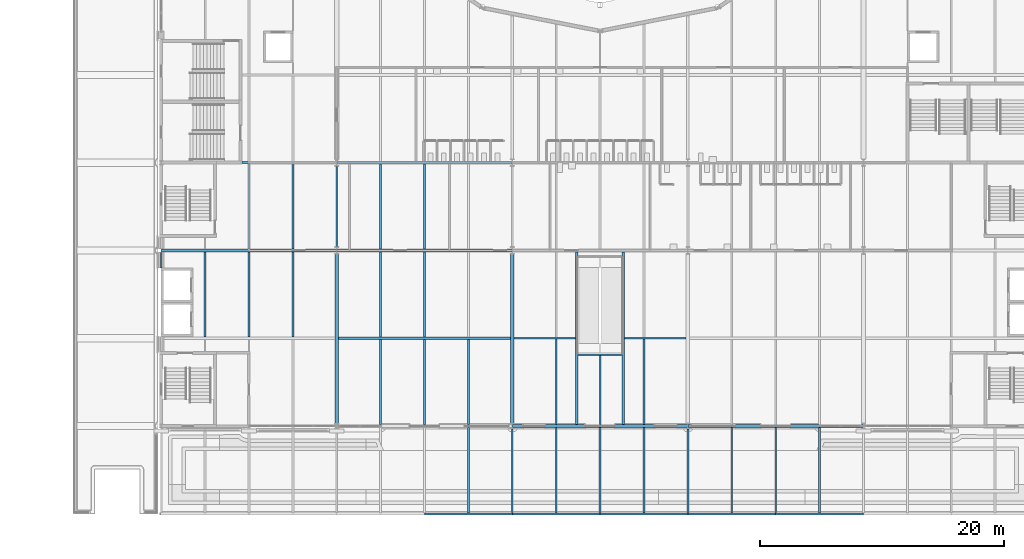
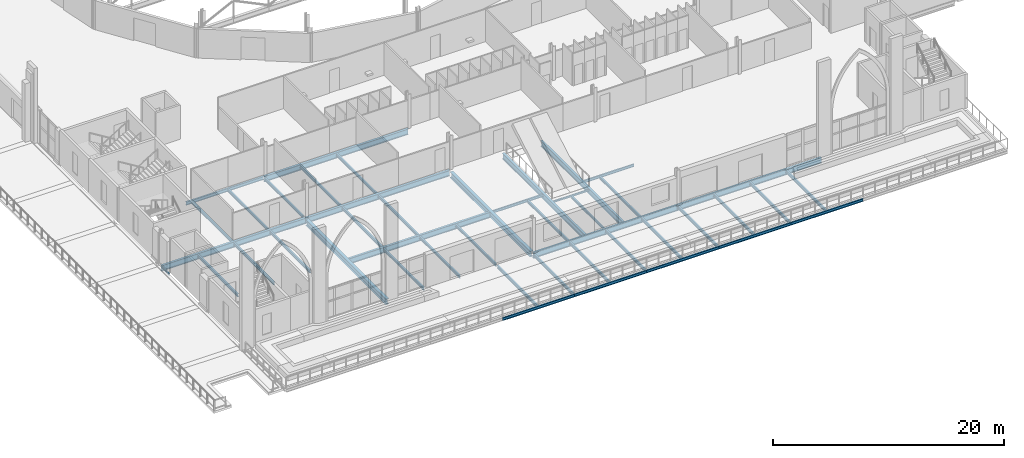
# One storey, part 31 of 143: 45 beams.
"""IFC4 building model written with IfcOpenShell, lengths in metres."""

import ifcopenshell
import ifcopenshell.guid

model = None  # the IFC model being written
_history = None  # IfcOwnerHistory: only IFC2X3 demands one
_inside = {}  # id of a spatial element -> (the spatial element, [elements in it])
_under = {}  # id of a project, library or spatial element -> (it, [spatial elements below it])
_declared = {}  # id of a project -> (the project, [libraries it declares])
_typed = {}  # id of a type object -> (the type object, [elements of that type])
_made_of = {}  # id of a material, layer set ... -> (it, [elements and type objects made of it])


def new_model(schema):
    """Start an empty IFC model of exactly this schema.

    Asked for "IFC4X3", IfcOpenShell would pick the latest addendum, in which some entities
    have other attributes; the version numbers below select the first issue.
    IFC2X3 requires an IfcOwnerHistory on every rooted entity: one is made here for all.
    """
    global model, _history
    if schema == "IFC4X3":
        model = ifcopenshell.file(schema_version=(4, 3, 0, 0))
    else:
        model = ifcopenshell.file(schema=schema)
    _inside.clear()
    _under.clear()
    _declared.clear()
    _typed.clear()
    _made_of.clear()
    _history = None
    if model.schema == "IFC2X3":
        org = make("IfcOrganization", Name="unknown")
        user = make(
            "IfcPersonAndOrganization",
            ThePerson=make("IfcPerson", FamilyName="unknown"),
            TheOrganization=org,
        )
        app = make(
            "IfcApplication",
            ApplicationDeveloper=org,
            Version="unknown",
            ApplicationFullName="unknown",
            ApplicationIdentifier="unknown",
        )
        _history = make(
            "IfcOwnerHistory",
            OwningUser=user,
            OwningApplication=app,
            ChangeAction="ADDED",
            CreationDate=0,
        )
    return model


def make(cls, **values):
    """One entity of the class cls with the attributes given. An attribute that is None is left unset."""
    return model.create_entity(
        cls, **{name: value for name, value in values.items() if value is not None}
    )


def rooted(cls, **values):
    """An entity with a GlobalId (a new one), such as an element, a storey or a relation."""
    return make(cls, GlobalId=ifcopenshell.guid.new(), OwnerHistory=_history, **values)


def si_unit(unit_type, name, prefix=None):
    """IfcSIUnit, for example si_unit("LENGTHUNIT", "METRE", prefix="MILLI")."""
    return make("IfcSIUnit", UnitType=unit_type, Prefix=prefix, Name=name)


def assignment(units):
    """IfcUnitAssignment: the units of a project."""
    return None if units is None else make("IfcUnitAssignment", Units=units)


def point(xyz):
    """IfcCartesianPoint."""
    return None if xyz is None else make("IfcCartesianPoint", Coordinates=xyz)


def direction(xyz):
    """IfcDirection."""
    return None if xyz is None else make("IfcDirection", DirectionRatios=xyz)


def frame(location, z_axis=None, x_axis=None):
    """IfcAxis2Placement3D, a coordinate frame: its origin and axes. An axis left out is left unset."""
    return make(
        "IfcAxis2Placement3D",
        Location=point(location),
        Axis=direction(z_axis),
        RefDirection=direction(x_axis),
    )


def frame_2d(location, x_axis=None):
    """IfcAxis2Placement2D, a coordinate frame in the plane: its origin and x axis."""
    return make(
        "IfcAxis2Placement2D", Location=point(location), RefDirection=direction(x_axis)
    )


def origin():
    """The frame at (0, 0, 0) with its axes left unset."""
    return frame((0.0, 0.0, 0.0))


def origin_2d():
    """The frame at (0, 0) in the plane with its x axis left unset."""
    return frame_2d((0.0, 0.0))


def place(relative_to, where):
    """IfcLocalPlacement: puts the frame where relative to a parent placement (None: the world)."""
    return make(
        "IfcLocalPlacement", PlacementRelTo=relative_to, RelativePlacement=where
    )


def context(
    kind, dimensions, precision=None, world=None, true_north=None, identifier=None
):
    """IfcGeometricRepresentationContext, for example the 3D "Model" context."""
    return make(
        "IfcGeometricRepresentationContext",
        ContextIdentifier=identifier,
        ContextType=kind,
        CoordinateSpaceDimension=dimensions,
        Precision=precision,
        WorldCoordinateSystem=world,
        TrueNorth=true_north,
    )


def subcontext(parent, identifier, kind, view, scale=None):
    """IfcGeometricRepresentationSubContext, for example "Body" below "Model"."""
    return make(
        "IfcGeometricRepresentationSubContext",
        ContextIdentifier=identifier,
        ContextType=kind,
        ParentContext=parent,
        TargetScale=scale,
        TargetView=view,
    )


def project(units=None, contexts=None):
    """IfcProject with its units and contexts."""
    return rooted(
        "IfcProject",
        Name="project",
        RepresentationContexts=contexts,
        UnitsInContext=assignment(units),
    )


def spatial(cls, under=None, at=None, **own):
    """A site, building, storey or space (cls), placed at a placement, below another one or the project."""
    s = rooted(cls, ObjectPlacement=at, **own)
    if under is not None:
        _under.setdefault(under.id(), (under, []))[1].append(s)
    return s


def profile(cls, at=None, kind="AREA", **sizes):
    """A parametric profile (cls). Its sizes go by their IFC names, for example OverallWidth=200.0."""
    return make(cls, ProfileType=kind, Position=at, **sizes)


def i_section(**sizes):
    """IfcIShapeProfileDef."""
    return profile("IfcIShapeProfileDef", **sizes)


def extrude(swept, where, along, depth):
    """IfcExtrudedAreaSolid: the profile swept, set in the frame where, extruded along a direction by depth."""
    return make(
        "IfcExtrudedAreaSolid",
        SweptArea=swept,
        Position=where,
        ExtrudedDirection=direction(along),
        Depth=depth,
    )


def shape(context_of_items, identifier, shape_type, items):
    """IfcShapeRepresentation: the items that make up one representation, for example the "Body"."""
    return make(
        "IfcShapeRepresentation",
        ContextOfItems=context_of_items,
        RepresentationIdentifier=identifier,
        RepresentationType=shape_type,
        Items=items,
    )


def material(Name=None, Category=None):
    """IfcMaterial."""
    return make("IfcMaterial", Name=Name, Category=Category)


def material_profile(
    of_material, cross_section, Name=None, Category=None, Priority=None
):
    """IfcMaterialProfile: a cross section and its material."""
    return make(
        "IfcMaterialProfile",
        Name=Name,
        Material=of_material,
        Profile=cross_section,
        Priority=Priority,
        Category=Category,
    )


def profile_set(profiles, Name=None, composite=None):
    """IfcMaterialProfileSet."""
    return make(
        "IfcMaterialProfileSet",
        Name=Name,
        MaterialProfiles=profiles,
        CompositeProfile=composite,
    )


def made_of(thing, what):
    """Note that an element or type object is made of a material, layer set ...; save() writes the relation."""
    if what is not None:
        _made_of.setdefault(what.id(), (what, []))[1].append(thing)
    return thing


def type_object(cls, material=None, **own):
    """A type object (cls), such as IfcWallType, which elements share."""
    return made_of(rooted(cls, **own), material)


def element(
    cls,
    number,
    at=None,
    inside=None,
    cuts=None,
    type_object=None,
    material=None,
    context=None,
    identifier="Body",
    shape_type=None,
    held_by="IfcProductDefinitionShape",
    body=None,
    shapes=None,
    **own,
):
    """One element of the class cls, such as IfcWall. Its Tag is "e" and its number.

    at: its placement. inside: the storey or other place that contains it. cuts: it is an
    opening in that element (IfcRelVoidsElement). A single representation is given by context,
    identifier, shape_type and body (its items); several are given by shapes. held_by: the class
    of the entity that holds the representations. save() writes the other relations.
    """
    e = rooted(cls, Tag="e%d" % number, ObjectPlacement=at, **own)
    if body is not None:
        shapes = [shape(context, identifier, shape_type, body)]
    if shapes is not None:
        e.Representation = make(held_by, Representations=shapes)
    if inside is not None:
        _inside.setdefault(inside.id(), (inside, []))[1].append(e)
    if cuts is not None:
        rooted(
            "IfcRelVoidsElement", RelatingBuildingElement=cuts, RelatedOpeningElement=e
        )
    if type_object is not None:
        _typed.setdefault(type_object.id(), (type_object, []))[1].append(e)
    return made_of(e, material)


def aggregate(whole, parts):
    """IfcRelAggregates: a whole, such as a stair, and the parts it consists of."""
    return rooted("IfcRelAggregates", RelatingObject=whole, RelatedObjects=parts)


def save(model, path):
    """Write the relations noted so far, then the file.

    IfcRelAggregates (storeys below a building ...), IfcRelContainedInSpatialStructure (elements
    in a storey), IfcRelDefinesByType, IfcRelAssociatesMaterial and IfcRelDeclares: one each for
    every whole, place, type object, material and project.
    """
    for whole, parts in _under.values():
        aggregate(whole, parts)
    for where, things in _inside.values():
        rooted(
            "IfcRelContainedInSpatialStructure",
            RelatedElements=things,
            RelatingStructure=where,
        )
    for kind, things in _typed.values():
        rooted("IfcRelDefinesByType", RelatedObjects=things, RelatingType=kind)
    for what, things in _made_of.values():
        rooted("IfcRelAssociatesMaterial", RelatedObjects=things, RelatingMaterial=what)
    for by, libraries in _declared.values():
        rooted("IfcRelDeclares", RelatingContext=by, RelatedDefinitions=libraries)
    model.write(path)


model = new_model("IFC4")

# Units and contexts
model_context = context("Model", 3, precision=1e-05, world=origin(), true_north=direction((0.0, 1.0)))
body_context = subcontext(model_context, "Body", "Model", "MODEL_VIEW")
ifc_project = project(units=[si_unit("LENGTHUNIT", "METRE"), si_unit("AREAUNIT", "SQUARE_METRE"), si_unit("VOLUMEUNIT", "CUBIC_METRE"), si_unit("PLANEANGLEUNIT", "RADIAN"), si_unit("MASSUNIT", "GRAM", prefix="KILO")], contexts=[model_context])

# Site, building, storey
site_placement = place(None, origin())
site = spatial("IfcSite", under=ifc_project, at=site_placement, CompositionType="ELEMENT")
building_placement = place(site_placement, origin())
building = spatial("IfcBuilding", under=site, at=building_placement, Name="Kupolbacken Congress Centre", CompositionType="ELEMENT")
storey_placement = place(building_placement, frame((0.0, 0.0, 7.199951171875)))
storey = spatial("IfcBuildingStorey", under=building, at=storey_placement, Name="L02", CompositionType="ELEMENT", Elevation=7.199951171875)

# Beams
ifc_material_1 = material(Name="Steel S355", Category="steel")
ifc_material_profile_1 = material_profile(ifc_material_1, i_section(OverallWidth=0.10009765625, OverallDepth=0.199951171875, WebThickness=0.005615234375, FlangeThickness=0.008544921875, FilletRadius=0.011962890625, at=origin_2d()), Name="IPE 200")
ifc_profile_set_1 = profile_set([ifc_material_profile_1], Name="Steel S355")
beam_type_1 = type_object("IfcBeamType", Name="B01 beam IPE 200", PredefinedType="BEAM", material=ifc_profile_set_1)
beam_1_placement = place(storey_placement, frame((7.199951171875, 41.75, -0.280029296875), z_axis=(0.0, 1.0, 0.0), x_axis=(-1.0, 0.0, 0.0)))
element("IfcBeam", 1, at=beam_1_placement, inside=storey, type_object=beam_type_1, Name="S/floor/F/L02/G003", PredefinedType="BEAM", context=body_context, shape_type="SweptSolid", body=[
    extrude(i_section(OverallWidth=0.10009765625, OverallDepth=0.199951171875, WebThickness=0.005615234375, FlangeThickness=0.008544921875, FilletRadius=0.011962890625, at=origin_2d()), origin(), (0.0, 0.0, 1.0), 1.300048828125),
])
beam_2_placement = place(storey_placement, frame((41.39990234375, 34.65234375, -0.280029296875), z_axis=(1.0, 0.0, 0.0), x_axis=(0.0, 1.0, 0.0)))
element("IfcBeam", 2, at=beam_2_placement, inside=storey, type_object=beam_type_1, Name="S/floor/F/L02/T048", PredefinedType="BEAM", context=body_context, shape_type="SweptSolid", body=[
    extrude(i_section(OverallWidth=0.10009765625, OverallDepth=0.199951171875, WebThickness=0.005615234375, FlangeThickness=0.008544921875, FilletRadius=0.011962890625, at=origin_2d()), origin(), (0.0, 0.0, 1.0), 3.60009765625),
])
ifc_material_2 = material(Name="Steel S355", Category="steel")
ifc_material_profile_2 = material_profile(ifc_material_2, i_section(OverallWidth=0.135009765625, OverallDepth=0.27001953125, WebThickness=0.006591796875, FlangeThickness=0.01025390625, FilletRadius=0.014892578125, at=origin_2d()), Name="IPE 270")
ifc_profile_set_2 = profile_set([ifc_material_profile_2], Name="Steel S355")
beam_type_2 = type_object("IfcBeamType", Name="B03 beam IPE 270", PredefinedType="BEAM", material=ifc_profile_set_2)
for number, where, z_axis, x_axis, name in (
    (3, (36.14990234375, 36.0, -0.31494140625), (1.0, 0.0, 0.0), (0.0, 1.0, 0.0), "S/floor/F/L02/R052"),
    (4, (45.219970703125, 36.0, -0.31494140625), (1.0, 0.0, 0.0), (0.0, 1.0, 0.0), "S/floor/F/L02/R053"),
):
    element("IfcBeam", number, at=place(storey_placement, frame(where, z_axis=z_axis, x_axis=x_axis)), inside=storey, type_object=beam_type_2, Name=name, PredefinedType="BEAM", context=body_context, shape_type="SweptSolid", body=[
        extrude(i_section(OverallWidth=0.135009765625, OverallDepth=0.27001953125, WebThickness=0.006591796875, FlangeThickness=0.01025390625, FilletRadius=0.014892578125, at=origin_2d()), origin(), (0.0, 0.0, 1.0), 5.030029296875),
    ])
beam_3_placement = place(storey_placement, frame((43.199951171875, 28.909912109375, -0.31494140625), z_axis=(0.0, 1.0, 0.0), x_axis=(-1.0, 0.0, 0.0)))
element("IfcBeam", 5, at=beam_3_placement, inside=storey, type_object=beam_type_2, Name="S/floor/F/L02/S085", PredefinedType="BEAM", context=body_context, shape_type="SweptSolid", body=[
    extrude(i_section(OverallWidth=0.135009765625, OverallDepth=0.27001953125, WebThickness=0.006591796875, FlangeThickness=0.01025390625, FilletRadius=0.014892578125, at=origin_2d()), origin(), (0.0, 0.0, 1.0), 5.6923828125),
])
ifc_material_3 = material(Name="Steel S355", Category="steel")
ifc_material_profile_3 = material_profile(ifc_material_3, i_section(OverallWidth=0.14990234375, OverallDepth=0.300048828125, WebThickness=0.007080078125, FlangeThickness=0.0107421875, FilletRadius=0.014892578125, at=origin_2d()), Name="IPE 300")
ifc_profile_set_3 = profile_set([ifc_material_profile_3], Name="Steel S355")
beam_type_3 = type_object("IfcBeamType", Name="B04 beam IPE 300", PredefinedType="BEAM", material=ifc_profile_set_3)
beam_4_placement = place(storey_placement, frame((21.60009765625, 43.5, -0.329833984375), z_axis=(0.0, 1.0, 0.0), x_axis=(-1.0, 0.0, 0.0)))
element("IfcBeam", 6, at=beam_4_placement, inside=storey, type_object=beam_type_3, Name="S/floor/F/L02/G007", PredefinedType="BEAM", context=body_context, shape_type="SweptSolid", body=[
    extrude(i_section(OverallWidth=0.14990234375, OverallDepth=0.300048828125, WebThickness=0.007080078125, FlangeThickness=0.0107421875, FilletRadius=0.014892578125, at=origin_2d()), origin(), (0.0, 0.0, 1.0), 6.60009765625),
])
for number, where, z_axis, x_axis, name in (
    (7, (36.0, 21.715087890625, -0.329833984375), (0.0, 1.0, 0.0), (-1.0, 0.0, 0.0), "S/floor/F/L02/G008"),
    (8, (50.39990234375, 21.715087890625, -0.329833984375), (0.0, 1.0, 0.0), (-1.0, 0.0, 0.0), "S/floor/F/L02/G011"),
):
    element("IfcBeam", number, at=place(storey_placement, frame(where, z_axis=z_axis, x_axis=x_axis)), inside=storey, type_object=beam_type_3, Name=name, PredefinedType="BEAM", context=body_context, shape_type="SweptSolid", body=[
        extrude(i_section(OverallWidth=0.14990234375, OverallDepth=0.300048828125, WebThickness=0.007080078125, FlangeThickness=0.0107421875, FilletRadius=0.014892578125, at=origin_2d()), origin(), (0.0, 0.0, 1.0), 6.85986328125),
    ])
for number, where, z_axis, x_axis, name in (
    (9, (28.8037109375, 21.60009765625, -0.329833984375), (1.0, 0.0, 0.0), (0.0, 1.0, 0.0), "S/floor/F/L02/R039"),
    (10, (36.003662109375, 21.60009765625, -0.329833984375), (1.0, 0.0, 0.0), (0.0, 1.0, 0.0), "S/floor/F/L02/R040"),
):
    element("IfcBeam", number, at=place(storey_placement, frame(where, z_axis=z_axis, x_axis=x_axis)), inside=storey, type_object=beam_type_3, Name=name, PredefinedType="BEAM", context=body_context, shape_type="SweptSolid", body=[
        extrude(i_section(OverallWidth=0.14990234375, OverallDepth=0.300048828125, WebThickness=0.007080078125, FlangeThickness=0.0107421875, FilletRadius=0.014892578125, at=origin_2d()), origin(), (0.0, 0.0, 1.0), 7.192626953125),
    ])
for number, where, z_axis, x_axis, name in (
    (11, (43.203857421875, 21.60009765625, -0.329833984375), (1.0, 0.0, 0.0), (0.0, 1.0, 0.0), "S/floor/F/L02/R041"),
    (12, (50.40380859375, 21.60009765625, -0.329833984375), (1.0, 0.0, 0.0), (0.0, 1.0, 0.0), "S/floor/F/L02/R042"),
    (13, (57.603759765625, 21.60009765625, -0.329833984375), (1.0, 0.0, 0.0), (0.0, 1.0, 0.0), "S/floor/F/L02/R043"),
):
    element("IfcBeam", number, at=place(storey_placement, frame(where, z_axis=z_axis, x_axis=x_axis)), inside=storey, type_object=beam_type_3, Name=name, PredefinedType="BEAM", context=body_context, shape_type="SweptSolid", body=[
        extrude(i_section(OverallWidth=0.14990234375, OverallDepth=0.300048828125, WebThickness=0.007080078125, FlangeThickness=0.0107421875, FilletRadius=0.014892578125, at=origin_2d()), origin(), (0.0, 0.0, 1.0), 7.1923828125),
    ])
for number, where, z_axis, x_axis, name in (
    (14, (10.800048828125, 36.110107421875, -0.329833984375), (0.0, 1.0, 0.0), (-1.0, 0.0, 0.0), "S/floor/F/L02/S058"),
    (15, (14.39990234375, 36.110107421875, -0.329833984375), (0.0, 1.0, 0.0), (-1.0, 0.0, 0.0), "S/floor/F/L02/S062"),
):
    element("IfcBeam", number, at=place(storey_placement, frame(where, z_axis=z_axis, x_axis=x_axis)), inside=storey, type_object=beam_type_3, Name=name, PredefinedType="BEAM", context=body_context, shape_type="SweptSolid", body=[
        extrude(i_section(OverallWidth=0.14990234375, OverallDepth=0.300048828125, WebThickness=0.007080078125, FlangeThickness=0.0107421875, FilletRadius=0.014892578125, at=origin_2d()), origin(), (0.0, 0.0, 1.0), 6.97998046875),
    ])
beam_5_placement = place(storey_placement, frame((14.39990234375, 43.31005859375, -0.329833984375), z_axis=(0.0, 1.0, 0.0), x_axis=(-1.0, 0.0, 0.0)))
element("IfcBeam", 16, at=beam_5_placement, inside=storey, type_object=beam_type_3, Name="S/floor/F/L02/S063", PredefinedType="BEAM", context=body_context, shape_type="SweptSolid", body=[
    extrude(i_section(OverallWidth=0.14990234375, OverallDepth=0.300048828125, WebThickness=0.007080078125, FlangeThickness=0.0107421875, FilletRadius=0.014892578125, at=origin_2d()), origin(), (0.0, 0.0, 1.0), 7.010009765625),
])
beam_6_placement = place(storey_placement, frame((18.0, 36.110107421875, -0.329833984375), z_axis=(0.0, 1.0, 0.0), x_axis=(-1.0, 0.0, 0.0)))
element("IfcBeam", 17, at=beam_6_placement, inside=storey, type_object=beam_type_3, Name="S/floor/F/L02/S066", PredefinedType="BEAM", context=body_context, shape_type="SweptSolid", body=[
    extrude(i_section(OverallWidth=0.14990234375, OverallDepth=0.300048828125, WebThickness=0.007080078125, FlangeThickness=0.0107421875, FilletRadius=0.014892578125, at=origin_2d()), origin(), (0.0, 0.0, 1.0), 6.97998046875),
])
beam_7_placement = place(storey_placement, frame((18.0, 43.31005859375, -0.329833984375), z_axis=(0.0, 1.0, 0.0), x_axis=(-1.0, 0.0, 0.0)))
element("IfcBeam", 18, at=beam_7_placement, inside=storey, type_object=beam_type_3, Name="S/floor/F/L02/S067", PredefinedType="BEAM", context=body_context, shape_type="SweptSolid", body=[
    extrude(i_section(OverallWidth=0.14990234375, OverallDepth=0.300048828125, WebThickness=0.007080078125, FlangeThickness=0.0107421875, FilletRadius=0.014892578125, at=origin_2d()), origin(), (0.0, 0.0, 1.0), 7.010009765625),
])
for number, where, z_axis, x_axis, name in (
    (19, (25.199951171875, 28.909912109375, -0.329833984375), (0.0, 1.0, 0.0), (-1.0, 0.0, 0.0), "S/floor/F/L02/S069"),
    (20, (25.199951171875, 36.110107421875, -0.329833984375), (0.0, 1.0, 0.0), (-1.0, 0.0, 0.0), "S/floor/F/L02/S070"),
    (21, (25.199951171875, 43.31005859375, -0.329833984375), (0.0, 1.0, 0.0), (-1.0, 0.0, 0.0), "S/floor/F/L02/S071"),
    (22, (28.800048828125, 28.909912109375, -0.329833984375), (0.0, 1.0, 0.0), (-1.0, 0.0, 0.0), "S/floor/F/L02/S073"),
    (23, (28.800048828125, 36.110107421875, -0.329833984375), (0.0, 1.0, 0.0), (-1.0, 0.0, 0.0), "S/floor/F/L02/S074"),
    (24, (28.800048828125, 43.31005859375, -0.329833984375), (0.0, 1.0, 0.0), (-1.0, 0.0, 0.0), "S/floor/F/L02/S075"),
):
    element("IfcBeam", number, at=place(storey_placement, frame(where, z_axis=z_axis, x_axis=x_axis)), inside=storey, type_object=beam_type_3, Name=name, PredefinedType="BEAM", context=body_context, shape_type="SweptSolid", body=[
        extrude(i_section(OverallWidth=0.14990234375, OverallDepth=0.300048828125, WebThickness=0.007080078125, FlangeThickness=0.0107421875, FilletRadius=0.014892578125, at=origin_2d()), origin(), (0.0, 0.0, 1.0), 6.97998046875),
    ])
beam_8_placement = place(storey_placement, frame((32.39990234375, 21.675048828125, -0.329833984375), z_axis=(0.0, 1.0, 0.0), x_axis=(-1.0, 0.0, 0.0)))
element("IfcBeam", 25, at=beam_8_placement, inside=storey, type_object=beam_type_3, Name="S/floor/F/L02/S076", PredefinedType="BEAM", context=body_context, shape_type="SweptSolid", body=[
    extrude(i_section(OverallWidth=0.14990234375, OverallDepth=0.300048828125, WebThickness=0.007080078125, FlangeThickness=0.0107421875, FilletRadius=0.014892578125, at=origin_2d()), origin(), (0.0, 0.0, 1.0), 7.014892578125),
])
beam_9_placement = place(storey_placement, frame((32.39990234375, 28.909912109375, -0.329833984375), z_axis=(0.0, 1.0, 0.0), x_axis=(-1.0, 0.0, 0.0)))
element("IfcBeam", 26, at=beam_9_placement, inside=storey, type_object=beam_type_3, Name="S/floor/F/L02/S077", PredefinedType="BEAM", context=body_context, shape_type="SweptSolid", body=[
    extrude(i_section(OverallWidth=0.14990234375, OverallDepth=0.300048828125, WebThickness=0.007080078125, FlangeThickness=0.0107421875, FilletRadius=0.014892578125, at=origin_2d()), origin(), (0.0, 0.0, 1.0), 6.97998046875),
])
beam_10_placement = place(storey_placement, frame((39.60009765625, 21.675048828125, -0.329833984375), z_axis=(0.0, 1.0, 0.0), x_axis=(-1.0, 0.0, 0.0)))
element("IfcBeam", 27, at=beam_10_placement, inside=storey, type_object=beam_type_3, Name="S/floor/F/L02/S080", PredefinedType="BEAM", context=body_context, shape_type="SweptSolid", body=[
    extrude(i_section(OverallWidth=0.14990234375, OverallDepth=0.300048828125, WebThickness=0.007080078125, FlangeThickness=0.0107421875, FilletRadius=0.014892578125, at=origin_2d()), origin(), (0.0, 0.0, 1.0), 7.014892578125),
])
beam_11_placement = place(storey_placement, frame((39.60009765625, 28.909912109375, -0.329833984375), z_axis=(0.0, 1.0, 0.0), x_axis=(-1.0, 0.0, 0.0)))
element("IfcBeam", 28, at=beam_11_placement, inside=storey, type_object=beam_type_3, Name="S/floor/F/L02/S081", PredefinedType="BEAM", context=body_context, shape_type="SweptSolid", body=[
    extrude(i_section(OverallWidth=0.14990234375, OverallDepth=0.300048828125, WebThickness=0.007080078125, FlangeThickness=0.0107421875, FilletRadius=0.014892578125, at=origin_2d()), origin(), (0.0, 0.0, 1.0), 7.022705078125),
])
beam_12_placement = place(storey_placement, frame((43.199951171875, 21.715087890625, -0.329833984375), z_axis=(0.0, 1.0, 0.0), x_axis=(-1.0, 0.0, 0.0)))
element("IfcBeam", 29, at=beam_12_placement, inside=storey, type_object=beam_type_3, Name="S/floor/F/L02/S084", PredefinedType="BEAM", context=body_context, shape_type="SweptSolid", body=[
    extrude(i_section(OverallWidth=0.14990234375, OverallDepth=0.300048828125, WebThickness=0.007080078125, FlangeThickness=0.0107421875, FilletRadius=0.014892578125, at=origin_2d()), origin(), (0.0, 0.0, 1.0), 6.974853515625),
])
beam_13_placement = place(storey_placement, frame((46.800048828125, 21.675048828125, -0.329833984375), z_axis=(0.0, 1.0, 0.0), x_axis=(-1.0, 0.0, 0.0)))
element("IfcBeam", 30, at=beam_13_placement, inside=storey, type_object=beam_type_3, Name="S/floor/F/L02/S087", PredefinedType="BEAM", context=body_context, shape_type="SweptSolid", body=[
    extrude(i_section(OverallWidth=0.14990234375, OverallDepth=0.300048828125, WebThickness=0.007080078125, FlangeThickness=0.0107421875, FilletRadius=0.014892578125, at=origin_2d()), origin(), (0.0, 0.0, 1.0), 7.014892578125),
])
beam_14_placement = place(storey_placement, frame((46.800048828125, 28.909912109375, -0.329833984375), z_axis=(0.0, 1.0, 0.0), x_axis=(-1.0, 0.0, 0.0)))
element("IfcBeam", 31, at=beam_14_placement, inside=storey, type_object=beam_type_3, Name="S/floor/F/L02/S088", PredefinedType="BEAM", context=body_context, shape_type="SweptSolid", body=[
    extrude(i_section(OverallWidth=0.14990234375, OverallDepth=0.300048828125, WebThickness=0.007080078125, FlangeThickness=0.0107421875, FilletRadius=0.014892578125, at=origin_2d()), origin(), (0.0, 0.0, 1.0), 7.022705078125),
])
beam_15_placement = place(storey_placement, frame((54.0, 21.675048828125, -0.329833984375), z_axis=(0.0, 1.0, 0.0), x_axis=(-1.0, 0.0, 0.0)))
element("IfcBeam", 32, at=beam_15_placement, inside=storey, type_object=beam_type_3, Name="S/floor/F/L02/S091", PredefinedType="BEAM", context=body_context, shape_type="SweptSolid", body=[
    extrude(i_section(OverallWidth=0.14990234375, OverallDepth=0.300048828125, WebThickness=0.007080078125, FlangeThickness=0.0107421875, FilletRadius=0.014892578125, at=origin_2d()), origin(), (0.0, 0.0, 1.0), 7.014892578125),
])
beam_16_placement = place(storey_placement, frame((57.60009765625, 21.715087890625, -0.329833984375), z_axis=(0.0, 1.0, 0.0), x_axis=(-1.0, 0.0, 0.0)))
element("IfcBeam", 33, at=beam_16_placement, inside=storey, type_object=beam_type_3, Name="S/floor/F/L02/S095", PredefinedType="BEAM", context=body_context, shape_type="SweptSolid", body=[
    extrude(i_section(OverallWidth=0.14990234375, OverallDepth=0.300048828125, WebThickness=0.007080078125, FlangeThickness=0.0107421875, FilletRadius=0.014892578125, at=origin_2d()), origin(), (0.0, 0.0, 1.0), 6.974853515625),
])
beam_17_placement = place(storey_placement, frame((61.199951171875, 21.675048828125, -0.329833984375), z_axis=(0.0, 1.0, 0.0), x_axis=(-1.0, 0.0, 0.0)))
element("IfcBeam", 34, at=beam_17_placement, inside=storey, type_object=beam_type_3, Name="S/floor/F/L02/S099", PredefinedType="BEAM", context=body_context, shape_type="SweptSolid", body=[
    extrude(i_section(OverallWidth=0.14990234375, OverallDepth=0.300048828125, WebThickness=0.007080078125, FlangeThickness=0.0107421875, FilletRadius=0.014892578125, at=origin_2d()), origin(), (0.0, 0.0, 1.0), 7.014892578125),
])
ifc_material_4 = material(Name="Steel S355", Category="steel")
ifc_material_profile_4 = material_profile(ifc_material_4, i_section(OverallWidth=0.159912109375, OverallDepth=0.330078125, WebThickness=0.007568359375, FlangeThickness=0.011474609375, FilletRadius=0.01806640625, at=origin_2d()), Name="IPE 330")
ifc_profile_set_4 = profile_set([ifc_material_profile_4], Name="Steel S355")
beam_type_4 = type_object("IfcBeamType", Name="B05 beam IPE 330", PredefinedType="BEAM", material=ifc_profile_set_4)
beam_18_placement = place(storey_placement, frame((13.824951171875, 50.39990234375, -0.344970703125), z_axis=(1.0, 0.0, 0.0), x_axis=(0.0, 1.0, 0.0)))
element("IfcBeam", 35, at=beam_18_placement, inside=storey, type_object=beam_type_4, Name="S/floor/F/L02/R031", PredefinedType="BEAM", context=body_context, shape_type="SweptSolid", body=[
    extrude(i_section(OverallWidth=0.159912109375, OverallDepth=0.330078125, WebThickness=0.007568359375, FlangeThickness=0.011474609375, FilletRadius=0.01806640625, at=origin_2d()), origin(), (0.0, 0.0, 1.0), 7.767333984375),
])
ifc_material_5 = material(Name="Steel S355", Category="steel")
ifc_material_profile_5 = material_profile(ifc_material_5, i_section(OverallWidth=0.219970703125, OverallDepth=0.60009765625, WebThickness=0.011962890625, FlangeThickness=0.01904296875, FilletRadius=0.02392578125, at=origin_2d()), Name="IPE 600")
ifc_profile_set_5 = profile_set([ifc_material_profile_5], Name="Steel S355")
beam_type_5 = type_object("IfcBeamType", Name="B11 beam IPE 600", PredefinedType="BEAM", material=ifc_profile_set_5)
for number, where, z_axis, x_axis, name in (
    (36, (36.007080078125, 28.800048828125, -0.47998046875), (1.0, 0.0, 0.0), (0.0, 1.0, 0.0), "S/floor/F/L02/R023"),
    (37, (50.406982421875, 28.800048828125, -0.47998046875), (1.0, 0.0, 0.0), (0.0, 1.0, 0.0), "S/floor/F/L02/R024"),
):
    element("IfcBeam", number, at=place(storey_placement, frame(where, z_axis=z_axis, x_axis=x_axis)), inside=storey, type_object=beam_type_5, Name=name, PredefinedType="BEAM", context=body_context, shape_type="SweptSolid", body=[
        extrude(i_section(OverallWidth=0.219970703125, OverallDepth=0.60009765625, WebThickness=0.011962890625, FlangeThickness=0.01904296875, FilletRadius=0.02392578125, at=origin_2d()), origin(), (0.0, 0.0, 1.0), 14.385986328125),
    ])
beam_19_placement = place(storey_placement, frame((7.20556640625, 43.199951171875, -0.47998046875), z_axis=(1.0, 0.0, 0.0), x_axis=(0.0, 1.0, 0.0)))
element("IfcBeam", 38, at=beam_19_placement, inside=storey, type_object=beam_type_5, Name="S/floor/F/L02/R026", PredefinedType="BEAM", context=body_context, shape_type="SweptSolid", body=[
    extrude(i_section(OverallWidth=0.219970703125, OverallDepth=0.60009765625, WebThickness=0.011962890625, FlangeThickness=0.01904296875, FilletRadius=0.02392578125, at=origin_2d()), origin(), (0.0, 0.0, 1.0), 14.38671875),
])
for number, where, z_axis, x_axis, name in (
    (39, (21.607666015625, 43.199951171875, -0.47998046875), (1.0, 0.0, 0.0), (0.0, 1.0, 0.0), "S/floor/F/L02/R027"),
    (40, (21.607666015625, 50.39990234375, -0.47998046875), (1.0, 0.0, 0.0), (0.0, 1.0, 0.0), "S/floor/F/L02/R032"),
):
    element("IfcBeam", number, at=place(storey_placement, frame(where, z_axis=z_axis, x_axis=x_axis)), inside=storey, type_object=beam_type_5, Name=name, PredefinedType="BEAM", context=body_context, shape_type="SweptSolid", body=[
        extrude(i_section(OverallWidth=0.219970703125, OverallDepth=0.60009765625, WebThickness=0.011962890625, FlangeThickness=0.01904296875, FilletRadius=0.02392578125, at=origin_2d()), origin(), (0.0, 0.0, 1.0), 14.384521484375),
    ])
for number, where, z_axis, x_axis, name in (
    (41, (41.2900390625, 28.909912109375, -0.47998046875), (0.0, 1.0, 0.0), (-1.0, 0.0, 0.0), "S/floor/F/L02/T046"),
    (42, (45.110107421875, 28.909912109375, -0.47998046875), (0.0, 1.0, 0.0), (-1.0, 0.0, 0.0), "S/floor/F/L02/T047"),
):
    element("IfcBeam", number, at=place(storey_placement, frame(where, z_axis=z_axis, x_axis=x_axis)), inside=storey, type_object=beam_type_5, Name=name, PredefinedType="BEAM", context=body_context, shape_type="SweptSolid", body=[
        extrude(i_section(OverallWidth=0.219970703125, OverallDepth=0.60009765625, WebThickness=0.011962890625, FlangeThickness=0.01904296875, FilletRadius=0.02392578125, at=origin_2d()), origin(), (0.0, 0.0, 1.0), 14.18017578125),
    ])
beam_20_placement = place(storey_placement, frame((21.75, 36.0, -0.47998046875), z_axis=(1.0, 0.0, 0.0), x_axis=(0.0, 1.0, 0.0)))
element("IfcBeam", 43, at=beam_20_placement, inside=storey, type_object=beam_type_5, Name="S/floor/F/L02/R051", PredefinedType="BEAM", context=body_context, shape_type="SweptSolid", body=[
    extrude(i_section(OverallWidth=0.219970703125, OverallDepth=0.60009765625, WebThickness=0.011962890625, FlangeThickness=0.01904296875, FilletRadius=0.02392578125, at=origin_2d()), origin(), (0.0, 0.0, 1.0), 14.10009765625),
])
ifc_material_6 = material(Name="Steel S355", Category="steel")
ifc_material_profile_6 = material_profile(ifc_material_6, i_section(OverallWidth=0.300048828125, OverallDepth=0.60009765625, WebThickness=0.015380859375, FlangeThickness=0.030029296875, FilletRadius=0.027099609375, at=origin_2d()), Name="HEB 600")
ifc_profile_set_6 = profile_set([ifc_material_profile_6], Name="Steel S355")
beam_type_6 = type_object("IfcBeamType", Name="B15 beam HEB 600", PredefinedType="BEAM", material=ifc_profile_set_6)
for number, where, z_axis, x_axis, name in (
    (44, (21.60009765625, 29.02490234375, -0.47998046875), (0.0, 1.0, 0.0), (-1.0, 0.0, 0.0), "S/floor/F/L02/G006"),
    (45, (36.0, 29.02490234375, -0.47998046875), (0.0, 1.0, 0.0), (-1.0, 0.0, 0.0), "S/floor/F/L02/G009"),
):
    element("IfcBeam", number, at=place(storey_placement, frame(where, z_axis=z_axis, x_axis=x_axis)), inside=storey, type_object=beam_type_6, Name=name, PredefinedType="BEAM", context=body_context, shape_type="SweptSolid", body=[
        extrude(i_section(OverallWidth=0.300048828125, OverallDepth=0.60009765625, WebThickness=0.015380859375, FlangeThickness=0.030029296875, FilletRadius=0.027099609375, at=origin_2d()), origin(), (0.0, 0.0, 1.0), 13.875),
    ])

save(model, "model.ifc")
